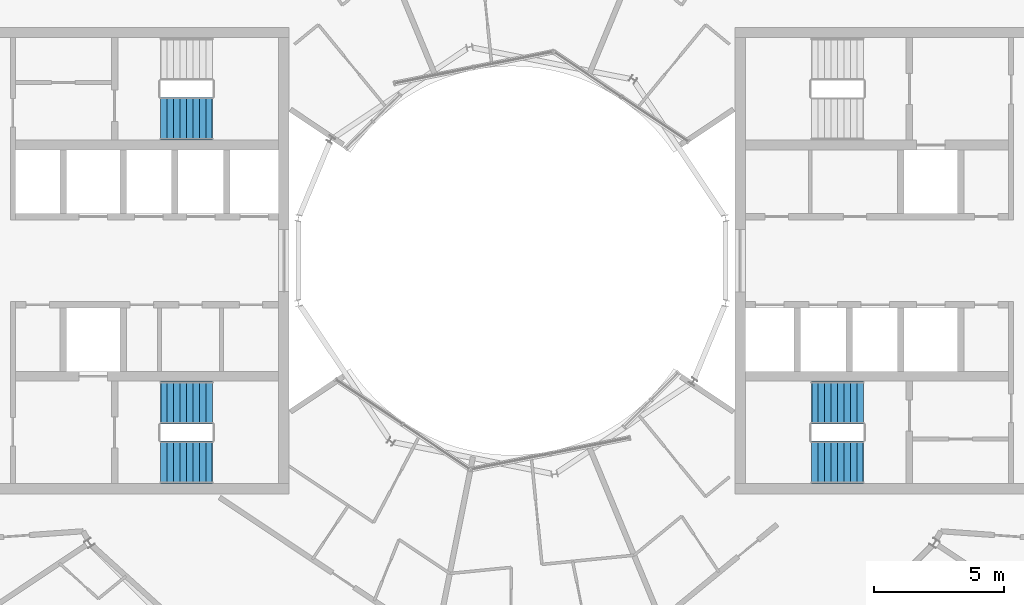
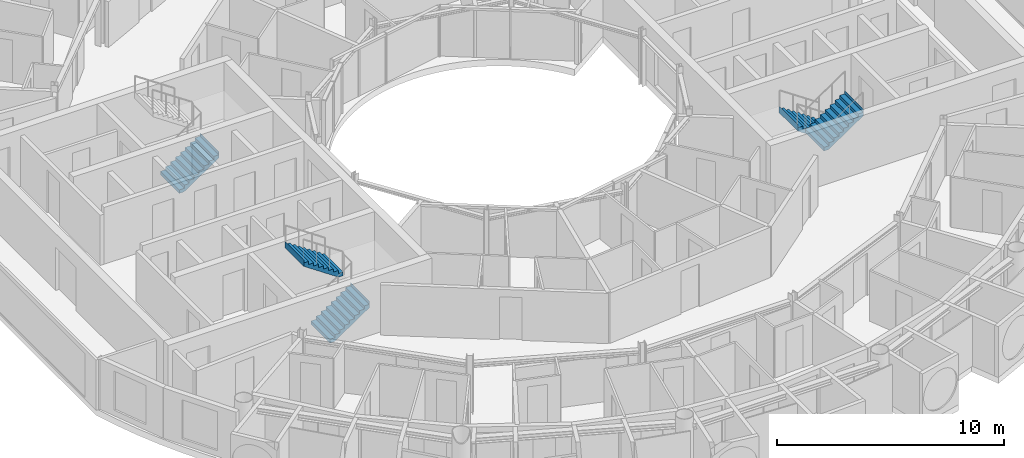
# One storey, part 24 of 27: 5 stair flights, 3 elements without a shape of their own.
"""IFC4 building model written with IfcOpenShell, lengths in metres."""

from ifc_helpers import new_model, si_unit, direction, frame, origin, place, context, subcontext, project, spatial, triangles, material, type_object, element, aggregate, save


model = new_model("IFC4")

# Units and contexts
model_context = context("Model", 3, precision=1e-05, world=origin(), true_north=direction((0.0, 1.0)))
body_context = subcontext(model_context, "Body", "Model", "MODEL_VIEW")
ifc_project = project(units=[si_unit("LENGTHUNIT", "METRE"), si_unit("AREAUNIT", "SQUARE_METRE"), si_unit("VOLUMEUNIT", "CUBIC_METRE"), si_unit("PLANEANGLEUNIT", "RADIAN"), si_unit("MASSUNIT", "GRAM", prefix="KILO")], contexts=[model_context])

# Site, building, storey
site_placement = place(None, origin())
site = spatial("IfcSite", under=ifc_project, at=site_placement, CompositionType="ELEMENT")
building_placement = place(site_placement, origin())
building = spatial("IfcBuilding", under=site, at=building_placement, Name="Maasbend Ring Residences", CompositionType="ELEMENT")
storey_placement = place(building_placement, frame((0.0, 0.0, 240.14990234375)))
storey = spatial("IfcBuildingStorey", under=building, at=storey_placement, Name="L69", CompositionType="ELEMENT", Elevation=240.14990234375)

# Stair, stair flights
ifc_material_1 = material(Name="Concrete C40/50", Category="concrete")
stair_type = type_object("IfcStairType", Name="CORE STAIR 18 RISERS", PredefinedType="HALF_TURN_STAIR", material=ifc_material_1)
stair_1_placement = place(storey_placement, origin())
stair_1 = element("IfcStair", 1, at=stair_1_placement, inside=storey, type_object=stair_type, Name="L69 Exit stair ST-E2", PredefinedType="HALF_TURN_STAIR")
ifc_material_2 = material(Name="Concrete C40/50", Category="concrete")
stair_flight_type = type_object("IfcStairFlightType", Name="CORE STAIR FLIGHT 1650", PredefinedType="STRAIGHT", material=ifc_material_2)
stair_flight_1_placement = place(storey_placement, frame((13.550048828125, -5.47509765625, 0.0), z_axis=(0.0, 0.0, 1.0), x_axis=(-1.0, 0.0, 0.0)))
stair_flight_1 = element("IfcStairFlight", 2, at=stair_flight_1_placement, type_object=stair_flight_type, Name="ST-E2 flight 1", NumberOfRisers=9, NumberOfTreads=8, PredefinedType="STRAIGHT", RiserHeight=0.169444444, TreadLength=0.25, context=body_context, shape_type="Tessellation", body=[
    triangles([(0.24072265625, 0.824951171875, -0.02001953125), (2.0029296875, 0.824951171875, 1.174560546875), (2.0029296875, 0.824951171875, 1.52490234375), (1.989990234375, 0.824951171875, 1.35546875), (1.75, 0.824951171875, 1.35546875), (1.75, 0.824951171875, 1.18603515625), (1.5, 0.824951171875, 1.18603515625), (1.5, 0.824951171875, 1.0166015625), (1.25, 0.824951171875, 1.0166015625), (1.25, 0.824951171875, 0.84716796875), (1.0, 0.824951171875, 0.84716796875), (1.0, 0.824951171875, 0.677734375), (0.75, 0.824951171875, 0.677734375), (0.75, 0.824951171875, 0.50830078125), (0.5, 0.824951171875, 0.50830078125), (0.5, 0.824951171875, 0.3388671875), (0.25, 0.824951171875, 0.3388671875), (0.25, 0.824951171875, 0.16943359375), (0.0, 0.824951171875, 0.16943359375), (0.0, 0.824951171875, 0.0), (-0.0029296875, 0.824951171875, 0.0), (-0.0029296875, 0.824951171875, -0.02001953125), (0.24072265625, 0.27490234375, -0.02001953125), (2.0029296875, 0.27490234375, 1.174560546875), (2.0029296875, 0.27490234375, 1.52490234375), (1.989990234375, 0.27490234375, 1.35546875), (1.75, 0.27490234375, 1.35546875), (1.75, 0.27490234375, 1.18603515625), (1.5, 0.27490234375, 1.18603515625), (1.5, 0.27490234375, 1.0166015625), (1.25, 0.27490234375, 1.0166015625), (1.25, 0.27490234375, 0.84716796875), (1.0, 0.27490234375, 0.84716796875), (1.0, 0.27490234375, 0.677734375), (0.75, 0.27490234375, 0.677734375), (0.75, 0.27490234375, 0.50830078125), (0.5, 0.27490234375, 0.50830078125), (0.5, 0.27490234375, 0.3388671875), (0.25, 0.27490234375, 0.3388671875), (0.25, 0.27490234375, 0.16943359375), (0.0, 0.27490234375, 0.16943359375), (0.0, 0.27490234375, 0.0), (-0.0029296875, 0.27490234375, 0.0), (-0.0029296875, 0.27490234375, -0.02001953125), (0.24072265625, -0.27490234375, -0.02001953125), (2.0029296875, -0.27490234375, 1.174560546875), (2.0029296875, -0.27490234375, 1.52490234375), (1.989990234375, -0.27490234375, 1.35546875), (1.75, -0.27490234375, 1.35546875), (1.75, -0.27490234375, 1.18603515625), (1.5, -0.27490234375, 1.18603515625), (1.5, -0.27490234375, 1.0166015625), (1.25, -0.27490234375, 1.0166015625), (1.25, -0.27490234375, 0.84716796875), (1.0, -0.27490234375, 0.84716796875), (1.0, -0.27490234375, 0.677734375), (0.75, -0.27490234375, 0.677734375), (0.75, -0.27490234375, 0.50830078125), (0.5, -0.27490234375, 0.50830078125), (0.5, -0.27490234375, 0.3388671875), (0.25, -0.27490234375, 0.3388671875), (0.25, -0.27490234375, 0.16943359375), (0.0, -0.27490234375, 0.16943359375), (0.0, -0.27490234375, 0.0), (-0.0029296875, -0.27490234375, 0.0), (-0.0029296875, -0.27490234375, -0.02001953125), (0.24072265625, -0.824951171875, -0.02001953125), (2.0029296875, -0.824951171875, 1.174560546875), (2.0029296875, -0.824951171875, 1.52490234375), (1.989990234375, -0.824951171875, 1.35546875), (1.75, -0.824951171875, 1.35546875), (1.75, -0.824951171875, 1.18603515625), (1.5, -0.824951171875, 1.18603515625), (1.5, -0.824951171875, 1.0166015625), (1.25, -0.824951171875, 1.0166015625), (1.25, -0.824951171875, 0.84716796875), (1.0, -0.824951171875, 0.84716796875), (1.0, -0.824951171875, 0.677734375), (0.75, -0.824951171875, 0.677734375), (0.75, -0.824951171875, 0.50830078125), (0.5, -0.824951171875, 0.50830078125), (0.5, -0.824951171875, 0.3388671875), (0.25, -0.824951171875, 0.3388671875), (0.25, -0.824951171875, 0.16943359375), (0.0, -0.824951171875, 0.16943359375), (0.0, -0.824951171875, 0.0), (-0.0029296875, -0.824951171875, 0.0), (-0.0029296875, -0.824951171875, -0.02001953125)], [[1, 2, 24], [1, 24, 23], [23, 24, 46], [23, 46, 45], [45, 46, 68], [45, 68, 67], [2, 3, 25], [2, 25, 24], [24, 25, 47], [24, 47, 46], [46, 47, 69], [46, 69, 68], [3, 4, 26], [3, 26, 25], [25, 26, 48], [25, 48, 47], [47, 48, 70], [47, 70, 69], [4, 5, 27], [4, 27, 26], [26, 27, 49], [26, 49, 48], [48, 49, 71], [48, 71, 70], [5, 6, 28], [5, 28, 27], [27, 28, 50], [27, 50, 49], [49, 50, 72], [49, 72, 71], [6, 7, 29], [6, 29, 28], [28, 29, 51], [28, 51, 50], [50, 51, 73], [50, 73, 72], [7, 8, 30], [7, 30, 29], [29, 30, 52], [29, 52, 51], [51, 52, 74], [51, 74, 73], [8, 9, 31], [8, 31, 30], [30, 31, 53], [30, 53, 52], [52, 53, 75], [52, 75, 74], [9, 10, 32], [9, 32, 31], [31, 32, 54], [31, 54, 53], [53, 54, 76], [53, 76, 75], [10, 11, 33], [10, 33, 32], [32, 33, 55], [32, 55, 54], [54, 55, 77], [54, 77, 76], [11, 12, 34], [11, 34, 33], [33, 34, 56], [33, 56, 55], [55, 56, 78], [55, 78, 77], [12, 13, 35], [12, 35, 34], [34, 35, 57], [34, 57, 56], [56, 57, 79], [56, 79, 78], [13, 14, 36], [13, 36, 35], [35, 36, 58], [35, 58, 57], [57, 58, 80], [57, 80, 79], [14, 15, 37], [14, 37, 36], [36, 37, 59], [36, 59, 58], [58, 59, 81], [58, 81, 80], [15, 16, 38], [15, 38, 37], [37, 38, 60], [37, 60, 59], [59, 60, 82], [59, 82, 81], [16, 17, 39], [16, 39, 38], [38, 39, 61], [38, 61, 60], [60, 61, 83], [60, 83, 82], [17, 18, 40], [17, 40, 39], [39, 40, 62], [39, 62, 61], [61, 62, 84], [61, 84, 83], [18, 19, 41], [18, 41, 40], [40, 41, 63], [40, 63, 62], [62, 63, 85], [62, 85, 84], [19, 20, 42], [19, 42, 41], [41, 42, 64], [41, 64, 63], [63, 64, 86], [63, 86, 85], [20, 21, 43], [20, 43, 42], [42, 43, 65], [42, 65, 64], [64, 65, 87], [64, 87, 86], [21, 22, 44], [21, 44, 43], [43, 44, 66], [43, 66, 65], [65, 66, 88], [65, 88, 87], [22, 1, 23], [22, 23, 44], [44, 23, 45], [44, 45, 66], [66, 45, 67], [66, 67, 88], [22, 2, 1], [2, 4, 3], [2, 5, 4], [2, 6, 5], [22, 6, 2], [6, 8, 7], [22, 8, 6], [8, 10, 9], [22, 10, 8], [10, 12, 11], [22, 12, 10], [12, 14, 13], [22, 14, 12], [14, 16, 15], [22, 16, 14], [16, 18, 17], [22, 18, 16], [18, 20, 19], [22, 20, 18], [20, 22, 21], [88, 67, 68], [68, 69, 70], [68, 70, 71], [68, 71, 72], [88, 68, 72], [72, 73, 74], [88, 72, 74], [74, 75, 76], [88, 74, 76], [76, 77, 78], [88, 76, 78], [78, 79, 80], [88, 78, 80], [80, 81, 82], [88, 80, 82], [82, 83, 84], [88, 82, 84], [84, 85, 86], [88, 84, 86], [86, 87, 88]], closed=True),
])
stair_flight_2_placement = place(storey_placement, frame((11.550048828125, -7.77490234375, 1.525146484375), z_axis=(0.0, 0.0, 1.0), x_axis=(1.0, 0.0, 0.0)))
stair_flight_2 = element("IfcStairFlight", 3, at=stair_flight_2_placement, type_object=stair_flight_type, Name="ST-E2 flight 2", NumberOfRisers=9, NumberOfTreads=8, PredefinedType="STRAIGHT", RiserHeight=0.169444444, TreadLength=0.25, context=body_context, shape_type="Tessellation", body=[
    triangles([(0.24072265625, 0.824951171875, -0.02001953125), (2.0029296875, 0.824951171875, 1.174560546875), (2.0029296875, 0.824951171875, 1.52490234375), (1.989990234375, 0.824951171875, 1.35546875), (1.75, 0.824951171875, 1.35546875), (1.75, 0.824951171875, 1.18603515625), (1.5, 0.824951171875, 1.18603515625), (1.5, 0.824951171875, 1.0166015625), (1.25, 0.824951171875, 1.0166015625), (1.25, 0.824951171875, 0.84716796875), (1.0, 0.824951171875, 0.84716796875), (1.0, 0.824951171875, 0.677734375), (0.75, 0.824951171875, 0.677734375), (0.75, 0.824951171875, 0.50830078125), (0.5, 0.824951171875, 0.50830078125), (0.5, 0.824951171875, 0.3388671875), (0.25, 0.824951171875, 0.3388671875), (0.25, 0.824951171875, 0.16943359375), (0.0, 0.824951171875, 0.16943359375), (0.0, 0.824951171875, 0.0), (-0.0029296875, 0.824951171875, 0.0), (-0.0029296875, 0.824951171875, -0.02001953125), (0.24072265625, 0.27490234375, -0.02001953125), (2.0029296875, 0.27490234375, 1.174560546875), (2.0029296875, 0.27490234375, 1.52490234375), (1.989990234375, 0.27490234375, 1.35546875), (1.75, 0.27490234375, 1.35546875), (1.75, 0.27490234375, 1.18603515625), (1.5, 0.27490234375, 1.18603515625), (1.5, 0.27490234375, 1.0166015625), (1.25, 0.27490234375, 1.0166015625), (1.25, 0.27490234375, 0.84716796875), (1.0, 0.27490234375, 0.84716796875), (1.0, 0.27490234375, 0.677734375), (0.75, 0.27490234375, 0.677734375), (0.75, 0.27490234375, 0.50830078125), (0.5, 0.27490234375, 0.50830078125), (0.5, 0.27490234375, 0.3388671875), (0.25, 0.27490234375, 0.3388671875), (0.25, 0.27490234375, 0.16943359375), (0.0, 0.27490234375, 0.16943359375), (0.0, 0.27490234375, 0.0), (-0.0029296875, 0.27490234375, 0.0), (-0.0029296875, 0.27490234375, -0.02001953125), (0.24072265625, -0.27490234375, -0.02001953125), (2.0029296875, -0.27490234375, 1.174560546875), (2.0029296875, -0.27490234375, 1.52490234375), (1.989990234375, -0.27490234375, 1.35546875), (1.75, -0.27490234375, 1.35546875), (1.75, -0.27490234375, 1.18603515625), (1.5, -0.27490234375, 1.18603515625), (1.5, -0.27490234375, 1.0166015625), (1.25, -0.27490234375, 1.0166015625), (1.25, -0.27490234375, 0.84716796875), (1.0, -0.27490234375, 0.84716796875), (1.0, -0.27490234375, 0.677734375), (0.75, -0.27490234375, 0.677734375), (0.75, -0.27490234375, 0.50830078125), (0.5, -0.27490234375, 0.50830078125), (0.5, -0.27490234375, 0.3388671875), (0.25, -0.27490234375, 0.3388671875), (0.25, -0.27490234375, 0.16943359375), (0.0, -0.27490234375, 0.16943359375), (0.0, -0.27490234375, 0.0), (-0.0029296875, -0.27490234375, 0.0), (-0.0029296875, -0.27490234375, -0.02001953125), (0.24072265625, -0.824951171875, -0.02001953125), (2.0029296875, -0.824951171875, 1.174560546875), (2.0029296875, -0.824951171875, 1.52490234375), (1.989990234375, -0.824951171875, 1.35546875), (1.75, -0.824951171875, 1.35546875), (1.75, -0.824951171875, 1.18603515625), (1.5, -0.824951171875, 1.18603515625), (1.5, -0.824951171875, 1.0166015625), (1.25, -0.824951171875, 1.0166015625), (1.25, -0.824951171875, 0.84716796875), (1.0, -0.824951171875, 0.84716796875), (1.0, -0.824951171875, 0.677734375), (0.75, -0.824951171875, 0.677734375), (0.75, -0.824951171875, 0.50830078125), (0.5, -0.824951171875, 0.50830078125), (0.5, -0.824951171875, 0.3388671875), (0.25, -0.824951171875, 0.3388671875), (0.25, -0.824951171875, 0.16943359375), (0.0, -0.824951171875, 0.16943359375), (0.0, -0.824951171875, 0.0), (-0.0029296875, -0.824951171875, 0.0), (-0.0029296875, -0.824951171875, -0.02001953125)], [[1, 2, 24], [1, 24, 23], [23, 24, 46], [23, 46, 45], [45, 46, 68], [45, 68, 67], [2, 3, 25], [2, 25, 24], [24, 25, 47], [24, 47, 46], [46, 47, 69], [46, 69, 68], [3, 4, 26], [3, 26, 25], [25, 26, 48], [25, 48, 47], [47, 48, 70], [47, 70, 69], [4, 5, 27], [4, 27, 26], [26, 27, 49], [26, 49, 48], [48, 49, 71], [48, 71, 70], [5, 6, 28], [5, 28, 27], [27, 28, 50], [27, 50, 49], [49, 50, 72], [49, 72, 71], [6, 7, 29], [6, 29, 28], [28, 29, 51], [28, 51, 50], [50, 51, 73], [50, 73, 72], [7, 8, 30], [7, 30, 29], [29, 30, 52], [29, 52, 51], [51, 52, 74], [51, 74, 73], [8, 9, 31], [8, 31, 30], [30, 31, 53], [30, 53, 52], [52, 53, 75], [52, 75, 74], [9, 10, 32], [9, 32, 31], [31, 32, 54], [31, 54, 53], [53, 54, 76], [53, 76, 75], [10, 11, 33], [10, 33, 32], [32, 33, 55], [32, 55, 54], [54, 55, 77], [54, 77, 76], [11, 12, 34], [11, 34, 33], [33, 34, 56], [33, 56, 55], [55, 56, 78], [55, 78, 77], [12, 13, 35], [12, 35, 34], [34, 35, 57], [34, 57, 56], [56, 57, 79], [56, 79, 78], [13, 14, 36], [13, 36, 35], [35, 36, 58], [35, 58, 57], [57, 58, 80], [57, 80, 79], [14, 15, 37], [14, 37, 36], [36, 37, 59], [36, 59, 58], [58, 59, 81], [58, 81, 80], [15, 16, 38], [15, 38, 37], [37, 38, 60], [37, 60, 59], [59, 60, 82], [59, 82, 81], [16, 17, 39], [16, 39, 38], [38, 39, 61], [38, 61, 60], [60, 61, 83], [60, 83, 82], [17, 18, 40], [17, 40, 39], [39, 40, 62], [39, 62, 61], [61, 62, 84], [61, 84, 83], [18, 19, 41], [18, 41, 40], [40, 41, 63], [40, 63, 62], [62, 63, 85], [62, 85, 84], [19, 20, 42], [19, 42, 41], [41, 42, 64], [41, 64, 63], [63, 64, 86], [63, 86, 85], [20, 21, 43], [20, 43, 42], [42, 43, 65], [42, 65, 64], [64, 65, 87], [64, 87, 86], [21, 22, 44], [21, 44, 43], [43, 44, 66], [43, 66, 65], [65, 66, 88], [65, 88, 87], [22, 1, 23], [22, 23, 44], [44, 23, 45], [44, 45, 66], [66, 45, 67], [66, 67, 88], [22, 2, 1], [2, 4, 3], [2, 5, 4], [2, 6, 5], [22, 6, 2], [6, 8, 7], [22, 8, 6], [8, 10, 9], [22, 10, 8], [10, 12, 11], [22, 12, 10], [12, 14, 13], [22, 14, 12], [14, 16, 15], [22, 16, 14], [16, 18, 17], [22, 18, 16], [18, 20, 19], [22, 20, 18], [20, 22, 21], [88, 67, 68], [68, 69, 70], [68, 70, 71], [68, 71, 72], [88, 68, 72], [72, 73, 74], [88, 72, 74], [74, 75, 76], [88, 74, 76], [76, 77, 78], [88, 76, 78], [78, 79, 80], [88, 78, 80], [80, 81, 82], [88, 80, 82], [82, 83, 84], [88, 82, 84], [84, 85, 86], [88, 84, 86], [86, 87, 88]], closed=True),
])
aggregate(stair_1, [stair_flight_1, stair_flight_2])

stair_2_placement = place(storey_placement, origin())
stair_2 = element("IfcStair", 4, at=stair_2_placement, inside=storey, type_object=stair_type, Name="L69 Exit stair ST-W1", PredefinedType="HALF_TURN_STAIR")
stair_flight_3_placement = place(storey_placement, frame((-13.550048828125, -7.77490234375, 0.0), z_axis=(0.0, 0.0, 1.0), x_axis=(1.0, 0.0, 0.0)))
stair_flight_3 = element("IfcStairFlight", 5, at=stair_flight_3_placement, type_object=stair_flight_type, Name="ST-W1 flight 1", NumberOfRisers=9, NumberOfTreads=8, PredefinedType="STRAIGHT", RiserHeight=0.169444444, TreadLength=0.25, context=body_context, shape_type="Tessellation", body=[
    triangles([(0.24072265625, 0.824951171875, -0.02001953125), (2.0029296875, 0.824951171875, 1.174560546875), (2.0029296875, 0.824951171875, 1.52490234375), (1.989990234375, 0.824951171875, 1.35546875), (1.75, 0.824951171875, 1.35546875), (1.75, 0.824951171875, 1.18603515625), (1.5, 0.824951171875, 1.18603515625), (1.5, 0.824951171875, 1.0166015625), (1.25, 0.824951171875, 1.0166015625), (1.25, 0.824951171875, 0.84716796875), (1.0, 0.824951171875, 0.84716796875), (1.0, 0.824951171875, 0.677734375), (0.75, 0.824951171875, 0.677734375), (0.75, 0.824951171875, 0.50830078125), (0.5, 0.824951171875, 0.50830078125), (0.5, 0.824951171875, 0.3388671875), (0.25, 0.824951171875, 0.3388671875), (0.25, 0.824951171875, 0.16943359375), (0.0, 0.824951171875, 0.16943359375), (0.0, 0.824951171875, 0.0), (-0.0029296875, 0.824951171875, 0.0), (-0.0029296875, 0.824951171875, -0.02001953125), (0.24072265625, 0.27490234375, -0.02001953125), (2.0029296875, 0.27490234375, 1.174560546875), (2.0029296875, 0.27490234375, 1.52490234375), (1.989990234375, 0.27490234375, 1.35546875), (1.75, 0.27490234375, 1.35546875), (1.75, 0.27490234375, 1.18603515625), (1.5, 0.27490234375, 1.18603515625), (1.5, 0.27490234375, 1.0166015625), (1.25, 0.27490234375, 1.0166015625), (1.25, 0.27490234375, 0.84716796875), (1.0, 0.27490234375, 0.84716796875), (1.0, 0.27490234375, 0.677734375), (0.75, 0.27490234375, 0.677734375), (0.75, 0.27490234375, 0.50830078125), (0.5, 0.27490234375, 0.50830078125), (0.5, 0.27490234375, 0.3388671875), (0.25, 0.27490234375, 0.3388671875), (0.25, 0.27490234375, 0.16943359375), (0.0, 0.27490234375, 0.16943359375), (0.0, 0.27490234375, 0.0), (-0.0029296875, 0.27490234375, 0.0), (-0.0029296875, 0.27490234375, -0.02001953125), (0.24072265625, -0.27490234375, -0.02001953125), (2.0029296875, -0.27490234375, 1.174560546875), (2.0029296875, -0.27490234375, 1.52490234375), (1.989990234375, -0.27490234375, 1.35546875), (1.75, -0.27490234375, 1.35546875), (1.75, -0.27490234375, 1.18603515625), (1.5, -0.27490234375, 1.18603515625), (1.5, -0.27490234375, 1.0166015625), (1.25, -0.27490234375, 1.0166015625), (1.25, -0.27490234375, 0.84716796875), (1.0, -0.27490234375, 0.84716796875), (1.0, -0.27490234375, 0.677734375), (0.75, -0.27490234375, 0.677734375), (0.75, -0.27490234375, 0.50830078125), (0.5, -0.27490234375, 0.50830078125), (0.5, -0.27490234375, 0.3388671875), (0.25, -0.27490234375, 0.3388671875), (0.25, -0.27490234375, 0.16943359375), (0.0, -0.27490234375, 0.16943359375), (0.0, -0.27490234375, 0.0), (-0.0029296875, -0.27490234375, 0.0), (-0.0029296875, -0.27490234375, -0.02001953125), (0.24072265625, -0.824951171875, -0.02001953125), (2.0029296875, -0.824951171875, 1.174560546875), (2.0029296875, -0.824951171875, 1.52490234375), (1.989990234375, -0.824951171875, 1.35546875), (1.75, -0.824951171875, 1.35546875), (1.75, -0.824951171875, 1.18603515625), (1.5, -0.824951171875, 1.18603515625), (1.5, -0.824951171875, 1.0166015625), (1.25, -0.824951171875, 1.0166015625), (1.25, -0.824951171875, 0.84716796875), (1.0, -0.824951171875, 0.84716796875), (1.0, -0.824951171875, 0.677734375), (0.75, -0.824951171875, 0.677734375), (0.75, -0.824951171875, 0.50830078125), (0.5, -0.824951171875, 0.50830078125), (0.5, -0.824951171875, 0.3388671875), (0.25, -0.824951171875, 0.3388671875), (0.25, -0.824951171875, 0.16943359375), (0.0, -0.824951171875, 0.16943359375), (0.0, -0.824951171875, 0.0), (-0.0029296875, -0.824951171875, 0.0), (-0.0029296875, -0.824951171875, -0.02001953125)], [[1, 2, 24], [1, 24, 23], [23, 24, 46], [23, 46, 45], [45, 46, 68], [45, 68, 67], [2, 3, 25], [2, 25, 24], [24, 25, 47], [24, 47, 46], [46, 47, 69], [46, 69, 68], [3, 4, 26], [3, 26, 25], [25, 26, 48], [25, 48, 47], [47, 48, 70], [47, 70, 69], [4, 5, 27], [4, 27, 26], [26, 27, 49], [26, 49, 48], [48, 49, 71], [48, 71, 70], [5, 6, 28], [5, 28, 27], [27, 28, 50], [27, 50, 49], [49, 50, 72], [49, 72, 71], [6, 7, 29], [6, 29, 28], [28, 29, 51], [28, 51, 50], [50, 51, 73], [50, 73, 72], [7, 8, 30], [7, 30, 29], [29, 30, 52], [29, 52, 51], [51, 52, 74], [51, 74, 73], [8, 9, 31], [8, 31, 30], [30, 31, 53], [30, 53, 52], [52, 53, 75], [52, 75, 74], [9, 10, 32], [9, 32, 31], [31, 32, 54], [31, 54, 53], [53, 54, 76], [53, 76, 75], [10, 11, 33], [10, 33, 32], [32, 33, 55], [32, 55, 54], [54, 55, 77], [54, 77, 76], [11, 12, 34], [11, 34, 33], [33, 34, 56], [33, 56, 55], [55, 56, 78], [55, 78, 77], [12, 13, 35], [12, 35, 34], [34, 35, 57], [34, 57, 56], [56, 57, 79], [56, 79, 78], [13, 14, 36], [13, 36, 35], [35, 36, 58], [35, 58, 57], [57, 58, 80], [57, 80, 79], [14, 15, 37], [14, 37, 36], [36, 37, 59], [36, 59, 58], [58, 59, 81], [58, 81, 80], [15, 16, 38], [15, 38, 37], [37, 38, 60], [37, 60, 59], [59, 60, 82], [59, 82, 81], [16, 17, 39], [16, 39, 38], [38, 39, 61], [38, 61, 60], [60, 61, 83], [60, 83, 82], [17, 18, 40], [17, 40, 39], [39, 40, 62], [39, 62, 61], [61, 62, 84], [61, 84, 83], [18, 19, 41], [18, 41, 40], [40, 41, 63], [40, 63, 62], [62, 63, 85], [62, 85, 84], [19, 20, 42], [19, 42, 41], [41, 42, 64], [41, 64, 63], [63, 64, 86], [63, 86, 85], [20, 21, 43], [20, 43, 42], [42, 43, 65], [42, 65, 64], [64, 65, 87], [64, 87, 86], [21, 22, 44], [21, 44, 43], [43, 44, 66], [43, 66, 65], [65, 66, 88], [65, 88, 87], [22, 1, 23], [22, 23, 44], [44, 23, 45], [44, 45, 66], [66, 45, 67], [66, 67, 88], [22, 2, 1], [2, 4, 3], [2, 5, 4], [2, 6, 5], [22, 6, 2], [6, 8, 7], [22, 8, 6], [8, 10, 9], [22, 10, 8], [10, 12, 11], [22, 12, 10], [12, 14, 13], [22, 14, 12], [14, 16, 15], [22, 16, 14], [16, 18, 17], [22, 18, 16], [18, 20, 19], [22, 20, 18], [20, 22, 21], [88, 67, 68], [68, 69, 70], [68, 70, 71], [68, 71, 72], [88, 68, 72], [72, 73, 74], [88, 72, 74], [74, 75, 76], [88, 74, 76], [76, 77, 78], [88, 76, 78], [78, 79, 80], [88, 78, 80], [80, 81, 82], [88, 80, 82], [82, 83, 84], [88, 82, 84], [84, 85, 86], [88, 84, 86], [86, 87, 88]], closed=True),
])
stair_flight_4_placement = place(storey_placement, frame((-11.550048828125, -5.47509765625, 1.525146484375), z_axis=(0.0, 0.0, 1.0), x_axis=(-1.0, 0.0, 0.0)))
stair_flight_4 = element("IfcStairFlight", 6, at=stair_flight_4_placement, type_object=stair_flight_type, Name="ST-W1 flight 2", NumberOfRisers=9, NumberOfTreads=8, PredefinedType="STRAIGHT", RiserHeight=0.169444444, TreadLength=0.25, context=body_context, shape_type="Tessellation", body=[
    triangles([(0.24072265625, 0.824951171875, -0.02001953125), (2.0029296875, 0.824951171875, 1.174560546875), (2.0029296875, 0.824951171875, 1.52490234375), (1.989990234375, 0.824951171875, 1.35546875), (1.75, 0.824951171875, 1.35546875), (1.75, 0.824951171875, 1.18603515625), (1.5, 0.824951171875, 1.18603515625), (1.5, 0.824951171875, 1.0166015625), (1.25, 0.824951171875, 1.0166015625), (1.25, 0.824951171875, 0.84716796875), (1.0, 0.824951171875, 0.84716796875), (1.0, 0.824951171875, 0.677734375), (0.75, 0.824951171875, 0.677734375), (0.75, 0.824951171875, 0.50830078125), (0.5, 0.824951171875, 0.50830078125), (0.5, 0.824951171875, 0.3388671875), (0.25, 0.824951171875, 0.3388671875), (0.25, 0.824951171875, 0.16943359375), (0.0, 0.824951171875, 0.16943359375), (0.0, 0.824951171875, 0.0), (-0.0029296875, 0.824951171875, 0.0), (-0.0029296875, 0.824951171875, -0.02001953125), (0.24072265625, 0.27490234375, -0.02001953125), (2.0029296875, 0.27490234375, 1.174560546875), (2.0029296875, 0.27490234375, 1.52490234375), (1.989990234375, 0.27490234375, 1.35546875), (1.75, 0.27490234375, 1.35546875), (1.75, 0.27490234375, 1.18603515625), (1.5, 0.27490234375, 1.18603515625), (1.5, 0.27490234375, 1.0166015625), (1.25, 0.27490234375, 1.0166015625), (1.25, 0.27490234375, 0.84716796875), (1.0, 0.27490234375, 0.84716796875), (1.0, 0.27490234375, 0.677734375), (0.75, 0.27490234375, 0.677734375), (0.75, 0.27490234375, 0.50830078125), (0.5, 0.27490234375, 0.50830078125), (0.5, 0.27490234375, 0.3388671875), (0.25, 0.27490234375, 0.3388671875), (0.25, 0.27490234375, 0.16943359375), (0.0, 0.27490234375, 0.16943359375), (0.0, 0.27490234375, 0.0), (-0.0029296875, 0.27490234375, 0.0), (-0.0029296875, 0.27490234375, -0.02001953125), (0.24072265625, -0.27490234375, -0.02001953125), (2.0029296875, -0.27490234375, 1.174560546875), (2.0029296875, -0.27490234375, 1.52490234375), (1.989990234375, -0.27490234375, 1.35546875), (1.75, -0.27490234375, 1.35546875), (1.75, -0.27490234375, 1.18603515625), (1.5, -0.27490234375, 1.18603515625), (1.5, -0.27490234375, 1.0166015625), (1.25, -0.27490234375, 1.0166015625), (1.25, -0.27490234375, 0.84716796875), (1.0, -0.27490234375, 0.84716796875), (1.0, -0.27490234375, 0.677734375), (0.75, -0.27490234375, 0.677734375), (0.75, -0.27490234375, 0.50830078125), (0.5, -0.27490234375, 0.50830078125), (0.5, -0.27490234375, 0.3388671875), (0.25, -0.27490234375, 0.3388671875), (0.25, -0.27490234375, 0.16943359375), (0.0, -0.27490234375, 0.16943359375), (0.0, -0.27490234375, 0.0), (-0.0029296875, -0.27490234375, 0.0), (-0.0029296875, -0.27490234375, -0.02001953125), (0.24072265625, -0.824951171875, -0.02001953125), (2.0029296875, -0.824951171875, 1.174560546875), (2.0029296875, -0.824951171875, 1.52490234375), (1.989990234375, -0.824951171875, 1.35546875), (1.75, -0.824951171875, 1.35546875), (1.75, -0.824951171875, 1.18603515625), (1.5, -0.824951171875, 1.18603515625), (1.5, -0.824951171875, 1.0166015625), (1.25, -0.824951171875, 1.0166015625), (1.25, -0.824951171875, 0.84716796875), (1.0, -0.824951171875, 0.84716796875), (1.0, -0.824951171875, 0.677734375), (0.75, -0.824951171875, 0.677734375), (0.75, -0.824951171875, 0.50830078125), (0.5, -0.824951171875, 0.50830078125), (0.5, -0.824951171875, 0.3388671875), (0.25, -0.824951171875, 0.3388671875), (0.25, -0.824951171875, 0.16943359375), (0.0, -0.824951171875, 0.16943359375), (0.0, -0.824951171875, 0.0), (-0.0029296875, -0.824951171875, 0.0), (-0.0029296875, -0.824951171875, -0.02001953125)], [[1, 2, 24], [1, 24, 23], [23, 24, 46], [23, 46, 45], [45, 46, 68], [45, 68, 67], [2, 3, 25], [2, 25, 24], [24, 25, 47], [24, 47, 46], [46, 47, 69], [46, 69, 68], [3, 4, 26], [3, 26, 25], [25, 26, 48], [25, 48, 47], [47, 48, 70], [47, 70, 69], [4, 5, 27], [4, 27, 26], [26, 27, 49], [26, 49, 48], [48, 49, 71], [48, 71, 70], [5, 6, 28], [5, 28, 27], [27, 28, 50], [27, 50, 49], [49, 50, 72], [49, 72, 71], [6, 7, 29], [6, 29, 28], [28, 29, 51], [28, 51, 50], [50, 51, 73], [50, 73, 72], [7, 8, 30], [7, 30, 29], [29, 30, 52], [29, 52, 51], [51, 52, 74], [51, 74, 73], [8, 9, 31], [8, 31, 30], [30, 31, 53], [30, 53, 52], [52, 53, 75], [52, 75, 74], [9, 10, 32], [9, 32, 31], [31, 32, 54], [31, 54, 53], [53, 54, 76], [53, 76, 75], [10, 11, 33], [10, 33, 32], [32, 33, 55], [32, 55, 54], [54, 55, 77], [54, 77, 76], [11, 12, 34], [11, 34, 33], [33, 34, 56], [33, 56, 55], [55, 56, 78], [55, 78, 77], [12, 13, 35], [12, 35, 34], [34, 35, 57], [34, 57, 56], [56, 57, 79], [56, 79, 78], [13, 14, 36], [13, 36, 35], [35, 36, 58], [35, 58, 57], [57, 58, 80], [57, 80, 79], [14, 15, 37], [14, 37, 36], [36, 37, 59], [36, 59, 58], [58, 59, 81], [58, 81, 80], [15, 16, 38], [15, 38, 37], [37, 38, 60], [37, 60, 59], [59, 60, 82], [59, 82, 81], [16, 17, 39], [16, 39, 38], [38, 39, 61], [38, 61, 60], [60, 61, 83], [60, 83, 82], [17, 18, 40], [17, 40, 39], [39, 40, 62], [39, 62, 61], [61, 62, 84], [61, 84, 83], [18, 19, 41], [18, 41, 40], [40, 41, 63], [40, 63, 62], [62, 63, 85], [62, 85, 84], [19, 20, 42], [19, 42, 41], [41, 42, 64], [41, 64, 63], [63, 64, 86], [63, 86, 85], [20, 21, 43], [20, 43, 42], [42, 43, 65], [42, 65, 64], [64, 65, 87], [64, 87, 86], [21, 22, 44], [21, 44, 43], [43, 44, 66], [43, 66, 65], [65, 66, 88], [65, 88, 87], [22, 1, 23], [22, 23, 44], [44, 23, 45], [44, 45, 66], [66, 45, 67], [66, 67, 88], [22, 2, 1], [2, 4, 3], [2, 5, 4], [2, 6, 5], [22, 6, 2], [6, 8, 7], [22, 8, 6], [8, 10, 9], [22, 10, 8], [10, 12, 11], [22, 12, 10], [12, 14, 13], [22, 14, 12], [14, 16, 15], [22, 16, 14], [16, 18, 17], [22, 18, 16], [18, 20, 19], [22, 20, 18], [20, 22, 21], [88, 67, 68], [68, 69, 70], [68, 70, 71], [68, 71, 72], [88, 68, 72], [72, 73, 74], [88, 72, 74], [74, 75, 76], [88, 74, 76], [76, 77, 78], [88, 76, 78], [78, 79, 80], [88, 78, 80], [80, 81, 82], [88, 80, 82], [82, 83, 84], [88, 82, 84], [84, 85, 86], [88, 84, 86], [86, 87, 88]], closed=True),
])
aggregate(stair_2, [stair_flight_3, stair_flight_4])

# Stair, stair flight
stair_3_placement = place(storey_placement, origin())
stair_3 = element("IfcStair", 7, at=stair_3_placement, inside=storey, type_object=stair_type, Name="L69 Exit stair ST-W2", PredefinedType="HALF_TURN_STAIR")
stair_flight_5_placement = place(storey_placement, frame((-13.550048828125, 5.47509765625, 0.0), z_axis=(0.0, 0.0, 1.0), x_axis=(1.0, 0.0, 0.0)))
stair_flight_5 = element("IfcStairFlight", 8, at=stair_flight_5_placement, type_object=stair_flight_type, Name="ST-W2 flight 1", NumberOfRisers=9, NumberOfTreads=8, PredefinedType="STRAIGHT", RiserHeight=0.169444444, TreadLength=0.25, context=body_context, shape_type="Tessellation", body=[
    triangles([(0.24072265625, 0.824951171875, -0.02001953125), (2.0029296875, 0.824951171875, 1.174560546875), (2.0029296875, 0.824951171875, 1.52490234375), (1.989990234375, 0.824951171875, 1.35546875), (1.75, 0.824951171875, 1.35546875), (1.75, 0.824951171875, 1.18603515625), (1.5, 0.824951171875, 1.18603515625), (1.5, 0.824951171875, 1.0166015625), (1.25, 0.824951171875, 1.0166015625), (1.25, 0.824951171875, 0.84716796875), (1.0, 0.824951171875, 0.84716796875), (1.0, 0.824951171875, 0.677734375), (0.75, 0.824951171875, 0.677734375), (0.75, 0.824951171875, 0.50830078125), (0.5, 0.824951171875, 0.50830078125), (0.5, 0.824951171875, 0.3388671875), (0.25, 0.824951171875, 0.3388671875), (0.25, 0.824951171875, 0.16943359375), (0.0, 0.824951171875, 0.16943359375), (0.0, 0.824951171875, 0.0), (-0.0029296875, 0.824951171875, 0.0), (-0.0029296875, 0.824951171875, -0.02001953125), (0.24072265625, 0.27490234375, -0.02001953125), (2.0029296875, 0.27490234375, 1.174560546875), (2.0029296875, 0.27490234375, 1.52490234375), (1.989990234375, 0.27490234375, 1.35546875), (1.75, 0.27490234375, 1.35546875), (1.75, 0.27490234375, 1.18603515625), (1.5, 0.27490234375, 1.18603515625), (1.5, 0.27490234375, 1.0166015625), (1.25, 0.27490234375, 1.0166015625), (1.25, 0.27490234375, 0.84716796875), (1.0, 0.27490234375, 0.84716796875), (1.0, 0.27490234375, 0.677734375), (0.75, 0.27490234375, 0.677734375), (0.75, 0.27490234375, 0.50830078125), (0.5, 0.27490234375, 0.50830078125), (0.5, 0.27490234375, 0.3388671875), (0.25, 0.27490234375, 0.3388671875), (0.25, 0.27490234375, 0.16943359375), (0.0, 0.27490234375, 0.16943359375), (0.0, 0.27490234375, 0.0), (-0.0029296875, 0.27490234375, 0.0), (-0.0029296875, 0.27490234375, -0.02001953125), (0.24072265625, -0.27490234375, -0.02001953125), (2.0029296875, -0.27490234375, 1.174560546875), (2.0029296875, -0.27490234375, 1.52490234375), (1.989990234375, -0.27490234375, 1.35546875), (1.75, -0.27490234375, 1.35546875), (1.75, -0.27490234375, 1.18603515625), (1.5, -0.27490234375, 1.18603515625), (1.5, -0.27490234375, 1.0166015625), (1.25, -0.27490234375, 1.0166015625), (1.25, -0.27490234375, 0.84716796875), (1.0, -0.27490234375, 0.84716796875), (1.0, -0.27490234375, 0.677734375), (0.75, -0.27490234375, 0.677734375), (0.75, -0.27490234375, 0.50830078125), (0.5, -0.27490234375, 0.50830078125), (0.5, -0.27490234375, 0.3388671875), (0.25, -0.27490234375, 0.3388671875), (0.25, -0.27490234375, 0.16943359375), (0.0, -0.27490234375, 0.16943359375), (0.0, -0.27490234375, 0.0), (-0.0029296875, -0.27490234375, 0.0), (-0.0029296875, -0.27490234375, -0.02001953125), (0.24072265625, -0.824951171875, -0.02001953125), (2.0029296875, -0.824951171875, 1.174560546875), (2.0029296875, -0.824951171875, 1.52490234375), (1.989990234375, -0.824951171875, 1.35546875), (1.75, -0.824951171875, 1.35546875), (1.75, -0.824951171875, 1.18603515625), (1.5, -0.824951171875, 1.18603515625), (1.5, -0.824951171875, 1.0166015625), (1.25, -0.824951171875, 1.0166015625), (1.25, -0.824951171875, 0.84716796875), (1.0, -0.824951171875, 0.84716796875), (1.0, -0.824951171875, 0.677734375), (0.75, -0.824951171875, 0.677734375), (0.75, -0.824951171875, 0.50830078125), (0.5, -0.824951171875, 0.50830078125), (0.5, -0.824951171875, 0.3388671875), (0.25, -0.824951171875, 0.3388671875), (0.25, -0.824951171875, 0.16943359375), (0.0, -0.824951171875, 0.16943359375), (0.0, -0.824951171875, 0.0), (-0.0029296875, -0.824951171875, 0.0), (-0.0029296875, -0.824951171875, -0.02001953125)], [[1, 2, 24], [1, 24, 23], [23, 24, 46], [23, 46, 45], [45, 46, 68], [45, 68, 67], [2, 3, 25], [2, 25, 24], [24, 25, 47], [24, 47, 46], [46, 47, 69], [46, 69, 68], [3, 4, 26], [3, 26, 25], [25, 26, 48], [25, 48, 47], [47, 48, 70], [47, 70, 69], [4, 5, 27], [4, 27, 26], [26, 27, 49], [26, 49, 48], [48, 49, 71], [48, 71, 70], [5, 6, 28], [5, 28, 27], [27, 28, 50], [27, 50, 49], [49, 50, 72], [49, 72, 71], [6, 7, 29], [6, 29, 28], [28, 29, 51], [28, 51, 50], [50, 51, 73], [50, 73, 72], [7, 8, 30], [7, 30, 29], [29, 30, 52], [29, 52, 51], [51, 52, 74], [51, 74, 73], [8, 9, 31], [8, 31, 30], [30, 31, 53], [30, 53, 52], [52, 53, 75], [52, 75, 74], [9, 10, 32], [9, 32, 31], [31, 32, 54], [31, 54, 53], [53, 54, 76], [53, 76, 75], [10, 11, 33], [10, 33, 32], [32, 33, 55], [32, 55, 54], [54, 55, 77], [54, 77, 76], [11, 12, 34], [11, 34, 33], [33, 34, 56], [33, 56, 55], [55, 56, 78], [55, 78, 77], [12, 13, 35], [12, 35, 34], [34, 35, 57], [34, 57, 56], [56, 57, 79], [56, 79, 78], [13, 14, 36], [13, 36, 35], [35, 36, 58], [35, 58, 57], [57, 58, 80], [57, 80, 79], [14, 15, 37], [14, 37, 36], [36, 37, 59], [36, 59, 58], [58, 59, 81], [58, 81, 80], [15, 16, 38], [15, 38, 37], [37, 38, 60], [37, 60, 59], [59, 60, 82], [59, 82, 81], [16, 17, 39], [16, 39, 38], [38, 39, 61], [38, 61, 60], [60, 61, 83], [60, 83, 82], [17, 18, 40], [17, 40, 39], [39, 40, 62], [39, 62, 61], [61, 62, 84], [61, 84, 83], [18, 19, 41], [18, 41, 40], [40, 41, 63], [40, 63, 62], [62, 63, 85], [62, 85, 84], [19, 20, 42], [19, 42, 41], [41, 42, 64], [41, 64, 63], [63, 64, 86], [63, 86, 85], [20, 21, 43], [20, 43, 42], [42, 43, 65], [42, 65, 64], [64, 65, 87], [64, 87, 86], [21, 22, 44], [21, 44, 43], [43, 44, 66], [43, 66, 65], [65, 66, 88], [65, 88, 87], [22, 1, 23], [22, 23, 44], [44, 23, 45], [44, 45, 66], [66, 45, 67], [66, 67, 88], [22, 2, 1], [2, 4, 3], [2, 5, 4], [2, 6, 5], [22, 6, 2], [6, 8, 7], [22, 8, 6], [8, 10, 9], [22, 10, 8], [10, 12, 11], [22, 12, 10], [12, 14, 13], [22, 14, 12], [14, 16, 15], [22, 16, 14], [16, 18, 17], [22, 18, 16], [18, 20, 19], [22, 20, 18], [20, 22, 21], [88, 67, 68], [68, 69, 70], [68, 70, 71], [68, 71, 72], [88, 68, 72], [72, 73, 74], [88, 72, 74], [74, 75, 76], [88, 74, 76], [76, 77, 78], [88, 76, 78], [78, 79, 80], [88, 78, 80], [80, 81, 82], [88, 80, 82], [82, 83, 84], [88, 82, 84], [84, 85, 86], [88, 84, 86], [86, 87, 88]], closed=True),
])
aggregate(stair_3, [stair_flight_5])

save(model, "model.ifc")
